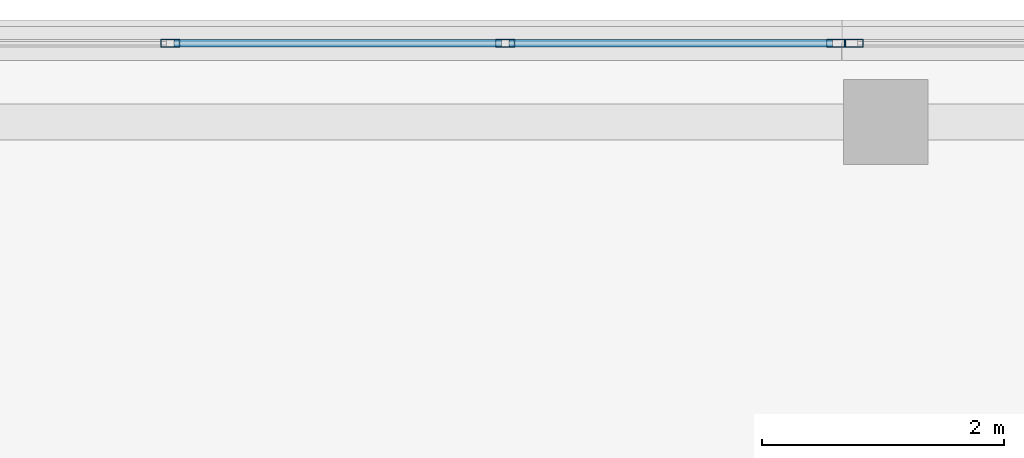
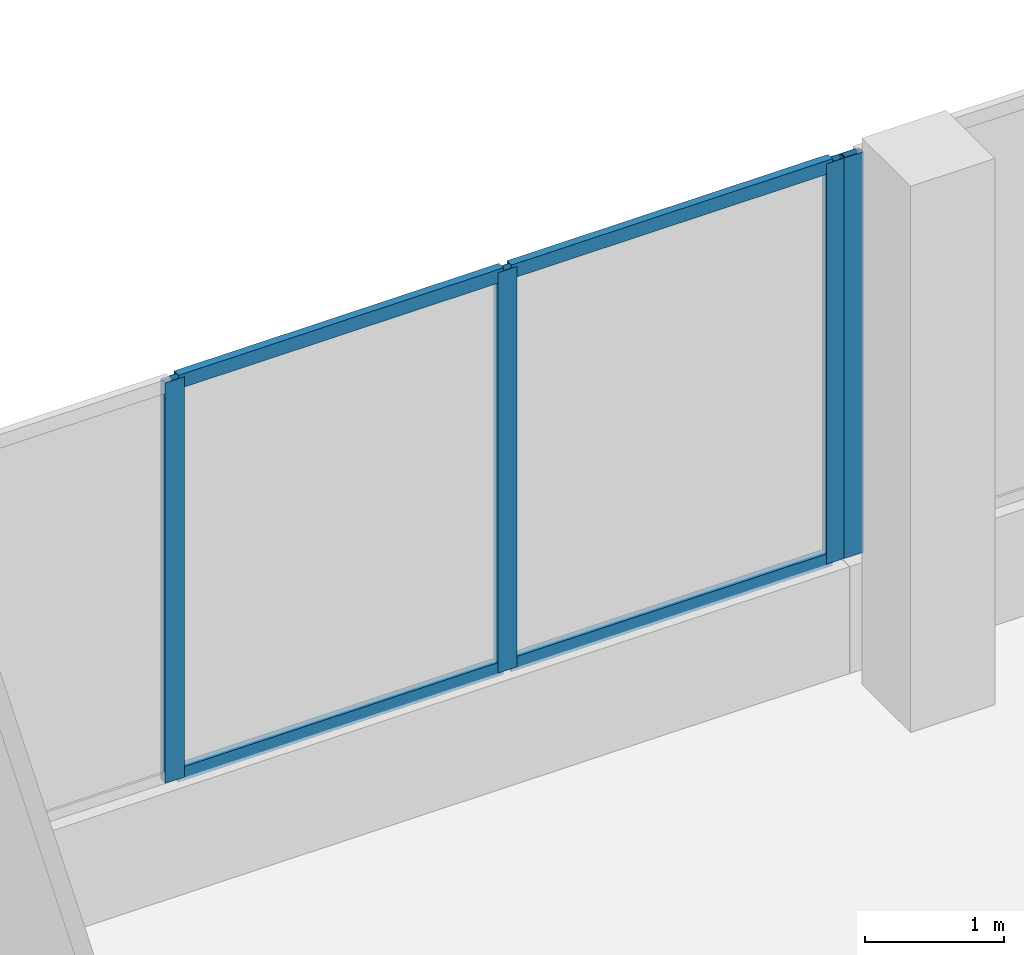
# One storey, part 111 of 155: 8 members, 2 elements without a shape of their own.
"""IFC4 building model written with IfcOpenShell, lengths in metres."""

from ifc_helpers import new_model, si_unit, direction, frame, origin, origin_2d, place, context, subcontext, project, spatial, hollow_rectangle, extrude, material, material_profile, profile_set, type_object, element, aggregate, save


model = new_model("IFC4")

# Units and contexts
model_context = context("Model", 3, precision=1e-05, world=origin(), true_north=direction((0.0, 1.0)))
body_context = subcontext(model_context, "Body", "Model", "MODEL_VIEW")
ifc_project = project(units=[si_unit("LENGTHUNIT", "METRE"), si_unit("AREAUNIT", "SQUARE_METRE"), si_unit("VOLUMEUNIT", "CUBIC_METRE"), si_unit("PLANEANGLEUNIT", "RADIAN"), si_unit("MASSUNIT", "GRAM", prefix="KILO")], contexts=[model_context])

# Site, building, storey
site_placement = place(None, origin())
site = spatial("IfcSite", under=ifc_project, at=site_placement, CompositionType="ELEMENT")
building_placement = place(site_placement, origin())
building = spatial("IfcBuilding", under=site, at=building_placement, Name="Selatvlak General Hospital", CompositionType="ELEMENT")
storey_placement = place(building_placement, frame((0.0, 0.0, 10.199951171875)))
storey = spatial("IfcBuildingStorey", under=building, at=storey_placement, Name="L02", CompositionType="ELEMENT", Elevation=10.199951171875)

# Curtain wall, members
ifc_material_1 = material(Name="Solar-control Low-E double glazing", Category="glass")
curtain_wall_type_1 = type_object("IfcCurtainWallType", Name="CW-CW-01", PredefinedType="USERDEFINED", material=ifc_material_1)
curtain_wall_1_placement = place(storey_placement, origin())
curtain_wall_1 = element("IfcCurtainWall", 1, at=curtain_wall_1_placement, inside=storey, type_object=curtain_wall_type_1, Name="Glazed facade curtain wall CW-L02-0260", ObjectType="UNITISED CURTAIN WALL", PredefinedType="USERDEFINED")
ifc_material_2 = material(Name="Dark anodised aluminium mullion", Category="aluminium")
ifc_material_profile_1 = material_profile(ifc_material_2, hollow_rectangle(XDim=0.06494140625, YDim=0.159912109375, WallThickness=0.00390625, at=origin_2d()), Name="AL-MUL 65x160x4")
ifc_profile_set_1 = profile_set([ifc_material_profile_1], Name="Dark anodised aluminium mullion")
member_type_1 = type_object("IfcMemberType", Name="CWM-01", PredefinedType="MULLION", material=ifc_profile_set_1)
member_1_placement = place(storey_placement, frame((159.690673828125, 120.0, 0.93994140625), z_axis=(0.0, 0.0, 1.0), x_axis=(0.0, 1.0, 0.0)))
member_1 = element("IfcMember", 2, at=member_1_placement, type_object=member_type_1, Name="CW-01 mullion 2", PredefinedType="MULLION", context=body_context, shape_type="SweptSolid", body=[
    extrude(hollow_rectangle(XDim=0.06494140625, YDim=0.159912109375, WallThickness=0.00390625, at=origin_2d()), origin(), (0.0, 0.0, 1.0), 3.52001953125),
])
member_2_placement = place(storey_placement, frame((162.457275390625, 120.0, 0.93994140625), z_axis=(0.0, 0.0, 1.0), x_axis=(0.0, 1.0, 0.0)))
member_2 = element("IfcMember", 3, at=member_2_placement, type_object=member_type_1, Name="CW-01 mullion 3", PredefinedType="MULLION", context=body_context, shape_type="SweptSolid", body=[
    extrude(hollow_rectangle(XDim=0.06494140625, YDim=0.159912109375, WallThickness=0.00390625, at=origin_2d()), origin(), (0.0, 0.0, 1.0), 3.52001953125),
])
member_3_placement = place(storey_placement, frame((165.19140625, 120.0, 0.93994140625), z_axis=(0.0, 0.0, 1.0), x_axis=(0.0, 1.0, 0.0)))
member_3 = element("IfcMember", 4, at=member_3_placement, type_object=member_type_1, Name="CW-01 mullion 4", PredefinedType="MULLION", context=body_context, shape_type="SweptSolid", body=[
    extrude(hollow_rectangle(XDim=0.06494140625, YDim=0.159912109375, WallThickness=0.00390625, at=origin_2d()), origin(), (0.0, 0.0, 1.0), 3.52001953125),
])

# Curtain wall, member
curtain_wall_type_2 = type_object("IfcCurtainWallType", Name="CW-CW-02", PredefinedType="USERDEFINED", material=ifc_material_1)
curtain_wall_2_placement = place(storey_placement, origin())
curtain_wall_2 = element("IfcCurtainWall", 5, at=curtain_wall_2_placement, inside=storey, type_object=curtain_wall_type_2, Name="Glazed facade curtain wall CW-L02-0261", ObjectType="UNITISED CURTAIN WALL", PredefinedType="USERDEFINED")
member_4_placement = place(storey_placement, frame((165.33642578125, 120.0, 0.93994140625), z_axis=(0.0, 0.0, 1.0), x_axis=(0.0, 1.0, 0.0)))
member_4 = element("IfcMember", 6, at=member_4_placement, type_object=member_type_1, Name="CW-02 mullion 1", PredefinedType="MULLION", context=body_context, shape_type="SweptSolid", body=[
    extrude(hollow_rectangle(XDim=0.06494140625, YDim=0.159912109375, WallThickness=0.00390625, at=origin_2d()), origin(), (0.0, 0.0, 1.0), 3.52001953125),
])
aggregate(curtain_wall_2, [member_4])

# Member
ifc_material_profile_2 = material_profile(ifc_material_2, hollow_rectangle(XDim=0.06494140625, YDim=0.1201171875, WallThickness=0.00390625, at=origin_2d()), Name="AL-TRN 65x120x4")
ifc_profile_set_2 = profile_set([ifc_material_profile_2], Name="Dark anodised aluminium mullion")
member_type_2 = type_object("IfcMemberType", Name="CWT-01", PredefinedType="USERDEFINED", material=ifc_profile_set_2)
member_5_placement = place(storey_placement, frame((159.72314453125, 120.0, 0.97265625), z_axis=(1.0, 0.0, 0.0), x_axis=(0.0, 1.0, 0.0)))
member_5 = element("IfcMember", 7, at=member_5_placement, type_object=member_type_2, Name="CW-01 transom 2.1", ObjectType="TRANSOM", PredefinedType="USERDEFINED", context=body_context, shape_type="SweptSolid", body=[
    extrude(hollow_rectangle(XDim=0.06494140625, YDim=0.1201171875, WallThickness=0.00390625, at=origin_2d()), origin(), (0.0, 0.0, 1.0), 2.70166015625),
])

member_6_placement = place(storey_placement, frame((159.72314453125, 120.0, 4.427490234375), z_axis=(1.0, 0.0, 0.0), x_axis=(0.0, 1.0, 0.0)))
member_6 = element("IfcMember", 8, at=member_6_placement, type_object=member_type_2, Name="CW-01 transom 2.2", ObjectType="TRANSOM", PredefinedType="USERDEFINED", context=body_context, shape_type="SweptSolid", body=[
    extrude(hollow_rectangle(XDim=0.06494140625, YDim=0.1201171875, WallThickness=0.00390625, at=origin_2d()), origin(), (0.0, 0.0, 1.0), 2.70166015625),
])

member_7_placement = place(storey_placement, frame((162.48974609375, 120.0, 0.97265625), z_axis=(1.0, 0.0, 0.0), x_axis=(0.0, 1.0, 0.0)))
member_7 = element("IfcMember", 9, at=member_7_placement, type_object=member_type_2, Name="CW-01 transom 3.1", ObjectType="TRANSOM", PredefinedType="USERDEFINED", context=body_context, shape_type="SweptSolid", body=[
    extrude(hollow_rectangle(XDim=0.06494140625, YDim=0.1201171875, WallThickness=0.00390625, at=origin_2d()), origin(), (0.0, 0.0, 1.0), 2.669189453125),
])

member_8_placement = place(storey_placement, frame((162.48974609375, 120.0, 4.427490234375), z_axis=(1.0, 0.0, 0.0), x_axis=(0.0, 1.0, 0.0)))
member_8 = element("IfcMember", 10, at=member_8_placement, type_object=member_type_2, Name="CW-01 transom 3.2", ObjectType="TRANSOM", PredefinedType="USERDEFINED", context=body_context, shape_type="SweptSolid", body=[
    extrude(hollow_rectangle(XDim=0.06494140625, YDim=0.1201171875, WallThickness=0.00390625, at=origin_2d()), origin(), (0.0, 0.0, 1.0), 2.669189453125),
])

aggregate(curtain_wall_1, [member_1, member_2, member_3, member_5, member_6, member_7, member_8])

save(model, "model.ifc")
